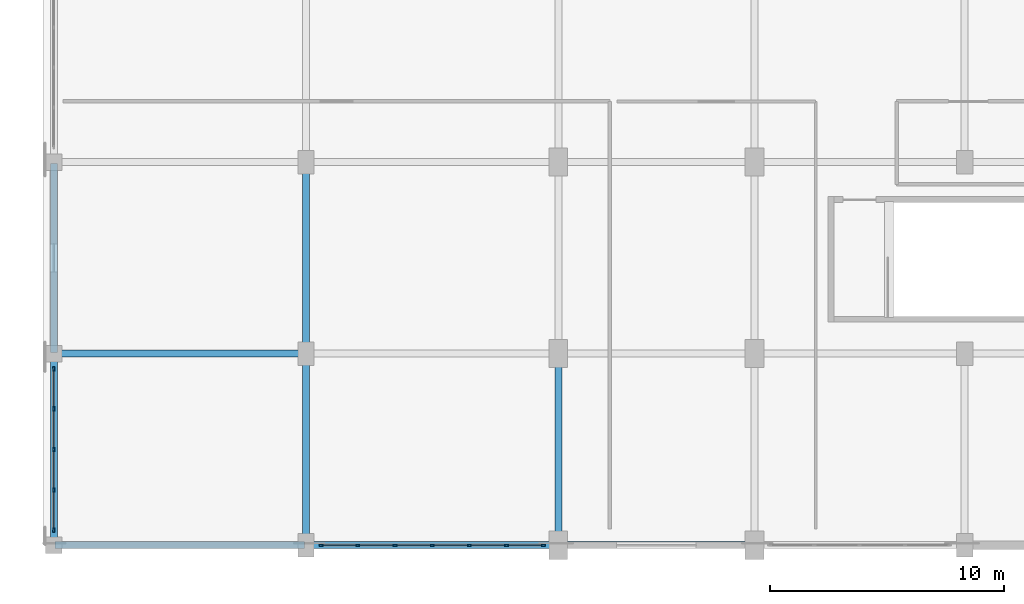
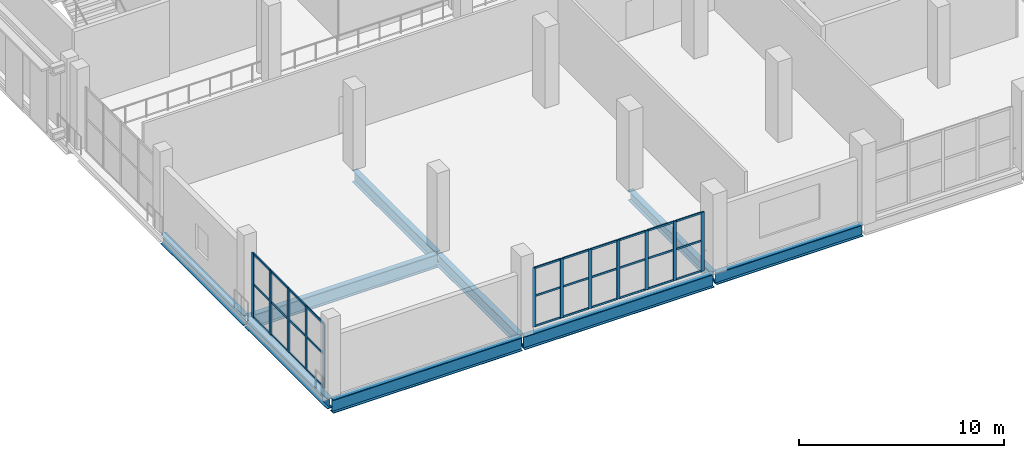
# One storey, part 11 of 104: 42 members, 9 beams, 2 elements without a shape of their own.
"""IFC4 building model written with IfcOpenShell, lengths in metres."""

from ifc_helpers import new_model, si_unit, direction, frame, origin, origin_2d, place, context, subcontext, project, spatial, rectangle, i_section, extrude, material, material_profile, profile_set, type_object, element, aggregate, save


model = new_model("IFC4")

# Units and contexts
model_context = context("Model", 3, precision=1e-05, world=origin(), true_north=direction((0.0, 1.0)))
body_context = subcontext(model_context, "Body", "Model", "MODEL_VIEW")
ifc_project = project(units=[si_unit("LENGTHUNIT", "METRE"), si_unit("AREAUNIT", "SQUARE_METRE"), si_unit("VOLUMEUNIT", "CUBIC_METRE"), si_unit("PLANEANGLEUNIT", "RADIAN"), si_unit("MASSUNIT", "GRAM", prefix="KILO")], contexts=[model_context])

# Site, building, storey
site_placement = place(None, origin())
site = spatial("IfcSite", under=ifc_project, at=site_placement, CompositionType="ELEMENT")
building_placement = place(site_placement, origin())
building = spatial("IfcBuilding", under=site, at=building_placement, Name="Koshinbarg Plaza Stadium", CompositionType="ELEMENT")
storey_placement = place(building_placement, frame((0.0, 0.0, 19.800048828125)))
storey = spatial("IfcBuildingStorey", under=building, at=storey_placement, Name="L04", CompositionType="ELEMENT", Elevation=19.800048828125)

# Beams
ifc_material_1 = material(Name="Steel S355", Category="steel")
ifc_material_profile_1 = material_profile(ifc_material_1, i_section(OverallWidth=0.300048828125, OverallDepth=0.60009765625, WebThickness=0.015380859375, FlangeThickness=0.030029296875, at=origin_2d()), Name="HEB 600")
ifc_profile_set_1 = profile_set([ifc_material_profile_1], Name="Steel S355")
beam_type_1 = type_object("IfcBeamType", Name="BM-SGIR-02", PredefinedType="USERDEFINED", material=ifc_profile_set_1)
beam_1_placement = place(storey_placement, frame((24.60009765625, 0.06005859375, -0.60009765625), z_axis=(0.0, 1.0, 0.0), x_axis=(-1.0, 0.0, 0.0)))
element("IfcBeam", 1, at=beam_1_placement, inside=storey, type_object=beam_type_1, Name="L04 Y girder 5/A-B", ObjectType="GIRDER", PredefinedType="USERDEFINED", context=body_context, shape_type="SweptSolid", body=[
    extrude(i_section(OverallWidth=0.300048828125, OverallDepth=0.60009765625, WebThickness=0.015380859375, FlangeThickness=0.030029296875, at=origin_2d()), origin(), (0.0, 0.0, 1.0), 8.079833984375),
])
beam_2_placement = place(storey_placement, frame((24.60009765625, 8.260009765625, -0.60009765625), z_axis=(0.0, 1.0, 0.0), x_axis=(-1.0, 0.0, 0.0)))
element("IfcBeam", 2, at=beam_2_placement, inside=storey, type_object=beam_type_1, Name="L04 Y girder 5/B-C", ObjectType="GIRDER", PredefinedType="USERDEFINED", context=body_context, shape_type="SweptSolid", body=[
    extrude(i_section(OverallWidth=0.300048828125, OverallDepth=0.60009765625, WebThickness=0.015380859375, FlangeThickness=0.030029296875, at=origin_2d()), origin(), (0.0, 0.0, 1.0), 8.080078125),
])
beam_3_placement = place(storey_placement, frame((46.199951171875, 0.06005859375, -0.60009765625), z_axis=(0.0, 1.0, 0.0), x_axis=(-1.0, 0.0, 0.0)))
element("IfcBeam", 3, at=beam_3_placement, inside=storey, type_object=beam_type_1, Name="L04 Y girder 7/A-B", ObjectType="GIRDER", PredefinedType="USERDEFINED", context=body_context, shape_type="SweptSolid", body=[
    extrude(i_section(OverallWidth=0.300048828125, OverallDepth=0.60009765625, WebThickness=0.015380859375, FlangeThickness=0.030029296875, at=origin_2d()), origin(), (0.0, 0.0, 1.0), 8.079833984375),
])
ifc_material_profile_2 = material_profile(ifc_material_1, i_section(OverallWidth=0.300048828125, OverallDepth=0.699951171875, WebThickness=0.01708984375, FlangeThickness=0.031982421875, at=origin_2d()), Name="HEB 700")
ifc_profile_set_2 = profile_set([ifc_material_profile_2], Name="Steel S355")
beam_type_2 = type_object("IfcBeamType", Name="BM-SGIR-03", PredefinedType="USERDEFINED", material=ifc_profile_set_2)
beam_4_placement = place(storey_placement, frame((46.260009765625, 0.0, -0.650146484375), z_axis=(1.0, 0.0, 0.0), x_axis=(0.0, 1.0, 0.0)))
element("IfcBeam", 4, at=beam_4_placement, inside=storey, type_object=beam_type_2, Name="L04 X girder A/7-8", ObjectType="GIRDER", PredefinedType="USERDEFINED", context=body_context, shape_type="SweptSolid", body=[
    extrude(i_section(OverallWidth=0.300048828125, OverallDepth=0.699951171875, WebThickness=0.01708984375, FlangeThickness=0.031982421875, at=origin_2d()), origin(), (0.0, 0.0, 1.0), 8.280029296875),
])
beam_5_placement = place(storey_placement, frame((35.39990234375, 0.06005859375, -0.650146484375), z_axis=(0.0, 1.0, 0.0), x_axis=(-1.0, 0.0, 0.0)))
element("IfcBeam", 5, at=beam_5_placement, inside=storey, type_object=beam_type_2, Name="L04 Y girder 6/A-B", ObjectType="GIRDER", PredefinedType="USERDEFINED", context=body_context, shape_type="SweptSolid", body=[
    extrude(i_section(OverallWidth=0.300048828125, OverallDepth=0.699951171875, WebThickness=0.01708984375, FlangeThickness=0.031982421875, at=origin_2d()), origin(), (0.0, 0.0, 1.0), 8.079833984375),
])
beam_6_placement = place(storey_placement, frame((35.39990234375, 8.260009765625, -0.650146484375), z_axis=(0.0, 1.0, 0.0), x_axis=(-1.0, 0.0, 0.0)))
element("IfcBeam", 6, at=beam_6_placement, inside=storey, type_object=beam_type_2, Name="L04 Y girder 6/B-C", ObjectType="GIRDER", PredefinedType="USERDEFINED", context=body_context, shape_type="SweptSolid", body=[
    extrude(i_section(OverallWidth=0.300048828125, OverallDepth=0.699951171875, WebThickness=0.01708984375, FlangeThickness=0.031982421875, at=origin_2d()), origin(), (0.0, 0.0, 1.0), 8.080078125),
])
ifc_material_profile_3 = material_profile(ifc_material_1, i_section(OverallWidth=0.300048828125, OverallDepth=0.800048828125, WebThickness=0.017578125, FlangeThickness=0.032958984375, at=origin_2d()), Name="HEB 800")
ifc_profile_set_3 = profile_set([ifc_material_profile_3], Name="Steel S355")
beam_type_3 = type_object("IfcBeamType", Name="BM-SGIR-04", PredefinedType="USERDEFINED", material=ifc_profile_set_3)
beam_7_placement = place(storey_placement, frame((24.659912109375, 0.0, -0.699951171875), z_axis=(1.0, 0.0, 0.0), x_axis=(0.0, 1.0, 0.0)))
element("IfcBeam", 7, at=beam_7_placement, inside=storey, type_object=beam_type_3, Name="L04 X girder A/5-6", ObjectType="GIRDER", PredefinedType="USERDEFINED", context=body_context, shape_type="SweptSolid", body=[
    extrude(i_section(OverallWidth=0.300048828125, OverallDepth=0.800048828125, WebThickness=0.017578125, FlangeThickness=0.032958984375, at=origin_2d()), origin(), (0.0, 0.0, 1.0), 10.68017578125),
])
beam_8_placement = place(storey_placement, frame((35.4599609375, 0.0, -0.699951171875), z_axis=(1.0, 0.0, 0.0), x_axis=(0.0, 1.0, 0.0)))
element("IfcBeam", 8, at=beam_8_placement, inside=storey, type_object=beam_type_3, Name="L04 X girder A/6-7", ObjectType="GIRDER", PredefinedType="USERDEFINED", context=body_context, shape_type="SweptSolid", body=[
    extrude(i_section(OverallWidth=0.300048828125, OverallDepth=0.800048828125, WebThickness=0.017578125, FlangeThickness=0.032958984375, at=origin_2d()), origin(), (0.0, 0.0, 1.0), 10.679931640625),
])
beam_9_placement = place(storey_placement, frame((24.659912109375, 8.199951171875, -0.699951171875), z_axis=(1.0, 0.0, 0.0), x_axis=(0.0, 1.0, 0.0)))
element("IfcBeam", 9, at=beam_9_placement, inside=storey, type_object=beam_type_3, Name="L04 X girder B/5-6", ObjectType="GIRDER", PredefinedType="USERDEFINED", context=body_context, shape_type="SweptSolid", body=[
    extrude(i_section(OverallWidth=0.300048828125, OverallDepth=0.800048828125, WebThickness=0.017578125, FlangeThickness=0.032958984375, at=origin_2d()), origin(), (0.0, 0.0, 1.0), 10.68017578125),
])

# Curtain wall, members
ifc_material_2 = material(Name="Thermally broken anodised aluminium and low-E double glazing", Category="aluminium")
curtain_wall_type_1 = type_object("IfcCurtainWallType", Name="CW-SYS-15", PredefinedType="NOTDEFINED", material=ifc_material_2)
curtain_wall_1_placement = place(storey_placement, origin())
curtain_wall_1 = element("IfcCurtainWall", 10, at=curtain_wall_1_placement, inside=storey, type_object=curtain_wall_type_1, Name="L04 unitised curtain wall CW-L04-110", PredefinedType="NOTDEFINED")
ifc_material_3 = material(Name="Anodised aluminium mullion", Category="aluminium")
ifc_material_profile_4 = material_profile(ifc_material_3, rectangle(XDim=0.070068359375, YDim=0.179931640625, at=origin_2d()), Name="ALU 70x180")
ifc_profile_set_4 = profile_set([ifc_material_profile_4], Name="Anodised aluminium mullion")
member_type_1 = type_object("IfcMemberType", Name="CW-MUL-03", PredefinedType="MULLION", material=ifc_profile_set_4)
member_1_placement = place(storey_placement, frame((45.550048828125, 0.0, 0.0), z_axis=(0.0, 0.0, 1.0), x_axis=(0.0, -1.0, 0.0)))
member_1 = element("IfcMember", 11, at=member_1_placement, type_object=member_type_1, Name="CW15 mullion 1", PredefinedType="MULLION", context=body_context, shape_type="SweptSolid", body=[
    extrude(rectangle(XDim=0.070068359375, YDim=0.179931640625, at=origin_2d()), origin(), (0.0, 0.0, 1.0), 3.52001953125),
])
member_2_placement = place(storey_placement, frame((43.986572265625, 0.0, 0.0), z_axis=(0.0, 0.0, 1.0), x_axis=(0.0, -1.0, 0.0)))
member_2 = element("IfcMember", 12, at=member_2_placement, type_object=member_type_1, Name="CW15 mullion 2", PredefinedType="MULLION", context=body_context, shape_type="SweptSolid", body=[
    extrude(rectangle(XDim=0.070068359375, YDim=0.179931640625, at=origin_2d()), origin(), (0.0, 0.0, 1.0), 3.52001953125),
])
member_3_placement = place(storey_placement, frame((42.393310546875, 0.0, 0.0), z_axis=(0.0, 0.0, 1.0), x_axis=(0.0, -1.0, 0.0)))
member_3 = element("IfcMember", 13, at=member_3_placement, type_object=member_type_1, Name="CW15 mullion 3", PredefinedType="MULLION", context=body_context, shape_type="SweptSolid", body=[
    extrude(rectangle(XDim=0.070068359375, YDim=0.179931640625, at=origin_2d()), origin(), (0.0, 0.0, 1.0), 3.52001953125),
])
member_4_placement = place(storey_placement, frame((40.800048828125, 0.0, 0.0), z_axis=(0.0, 0.0, 1.0), x_axis=(0.0, -1.0, 0.0)))
member_4 = element("IfcMember", 14, at=member_4_placement, type_object=member_type_1, Name="CW15 mullion 4", PredefinedType="MULLION", context=body_context, shape_type="SweptSolid", body=[
    extrude(rectangle(XDim=0.070068359375, YDim=0.179931640625, at=origin_2d()), origin(), (0.0, 0.0, 1.0), 3.52001953125),
])
member_5_placement = place(storey_placement, frame((39.206787109375, 0.0, 0.0), z_axis=(0.0, 0.0, 1.0), x_axis=(0.0, -1.0, 0.0)))
member_5 = element("IfcMember", 15, at=member_5_placement, type_object=member_type_1, Name="CW15 mullion 5", PredefinedType="MULLION", context=body_context, shape_type="SweptSolid", body=[
    extrude(rectangle(XDim=0.070068359375, YDim=0.179931640625, at=origin_2d()), origin(), (0.0, 0.0, 1.0), 3.52001953125),
])
member_6_placement = place(storey_placement, frame((37.61328125, 0.0, 0.0), z_axis=(0.0, 0.0, 1.0), x_axis=(0.0, -1.0, 0.0)))
member_6 = element("IfcMember", 16, at=member_6_placement, type_object=member_type_1, Name="CW15 mullion 6", PredefinedType="MULLION", context=body_context, shape_type="SweptSolid", body=[
    extrude(rectangle(XDim=0.070068359375, YDim=0.179931640625, at=origin_2d()), origin(), (0.0, 0.0, 1.0), 3.52001953125),
])
member_7_placement = place(storey_placement, frame((36.050048828125, 0.0, 0.0), z_axis=(0.0, 0.0, 1.0), x_axis=(0.0, -1.0, 0.0)))
member_7 = element("IfcMember", 17, at=member_7_placement, type_object=member_type_1, Name="CW15 mullion 7", PredefinedType="MULLION", context=body_context, shape_type="SweptSolid", body=[
    extrude(rectangle(XDim=0.070068359375, YDim=0.179931640625, at=origin_2d()), origin(), (0.0, 0.0, 1.0), 3.52001953125),
])

curtain_wall_type_2 = type_object("IfcCurtainWallType", Name="CW-SYS-12", PredefinedType="NOTDEFINED", material=ifc_material_2)
curtain_wall_2_placement = place(storey_placement, origin())
curtain_wall_2 = element("IfcCurtainWall", 18, at=curtain_wall_2_placement, inside=storey, type_object=curtain_wall_type_2, Name="L04 unitised curtain wall CW-L04-091", PredefinedType="NOTDEFINED")
ifc_material_profile_5 = material_profile(ifc_material_3, rectangle(XDim=0.070068359375, YDim=0.199951171875, at=origin_2d()), Name="ALU 70x200")
ifc_profile_set_5 = profile_set([ifc_material_profile_5], Name="Anodised aluminium mullion")
member_type_2 = type_object("IfcMemberType", Name="CW-MUL-04", PredefinedType="MULLION", material=ifc_profile_set_5)
member_8_placement = place(storey_placement, frame((24.60009765625, 0.64990234375, 0.0), z_axis=(0.0, 0.0, 1.0), x_axis=(-1.0, 0.0, 0.0)))
member_8 = element("IfcMember", 19, at=member_8_placement, type_object=member_type_2, Name="CW12 mullion 1", PredefinedType="MULLION", context=body_context, shape_type="SweptSolid", body=[
    extrude(rectangle(XDim=0.070068359375, YDim=0.199951171875, at=origin_2d()), origin(), (0.0, 0.0, 1.0), 3.820068359375),
])
member_9_placement = place(storey_placement, frame((24.60009765625, 2.360107421875, 0.0), z_axis=(0.0, 0.0, 1.0), x_axis=(-1.0, 0.0, 0.0)))
member_9 = element("IfcMember", 20, at=member_9_placement, type_object=member_type_2, Name="CW12 mullion 2", PredefinedType="MULLION", context=body_context, shape_type="SweptSolid", body=[
    extrude(rectangle(XDim=0.070068359375, YDim=0.199951171875, at=origin_2d()), origin(), (0.0, 0.0, 1.0), 3.820068359375),
])
member_10_placement = place(storey_placement, frame((24.60009765625, 4.10009765625, 0.0), z_axis=(0.0, 0.0, 1.0), x_axis=(-1.0, 0.0, 0.0)))
member_10 = element("IfcMember", 21, at=member_10_placement, type_object=member_type_2, Name="CW12 mullion 3", PredefinedType="MULLION", context=body_context, shape_type="SweptSolid", body=[
    extrude(rectangle(XDim=0.070068359375, YDim=0.199951171875, at=origin_2d()), origin(), (0.0, 0.0, 1.0), 3.820068359375),
])
member_11_placement = place(storey_placement, frame((24.60009765625, 5.840087890625, 0.0), z_axis=(0.0, 0.0, 1.0), x_axis=(-1.0, 0.0, 0.0)))
member_11 = element("IfcMember", 22, at=member_11_placement, type_object=member_type_2, Name="CW12 mullion 4", PredefinedType="MULLION", context=body_context, shape_type="SweptSolid", body=[
    extrude(rectangle(XDim=0.070068359375, YDim=0.199951171875, at=origin_2d()), origin(), (0.0, 0.0, 1.0), 3.820068359375),
])
member_12_placement = place(storey_placement, frame((24.60009765625, 7.550048828125, 0.0), z_axis=(0.0, 0.0, 1.0), x_axis=(-1.0, 0.0, 0.0)))
member_12 = element("IfcMember", 23, at=member_12_placement, type_object=member_type_2, Name="CW12 mullion 5", PredefinedType="MULLION", context=body_context, shape_type="SweptSolid", body=[
    extrude(rectangle(XDim=0.070068359375, YDim=0.199951171875, at=origin_2d()), origin(), (0.0, 0.0, 1.0), 3.820068359375),
])

# Member
ifc_material_4 = material(Name="Anodised aluminium transom", Category="aluminium")
ifc_material_profile_6 = material_profile(ifc_material_4, rectangle(XDim=0.06005859375, YDim=0.110107421875, at=origin_2d()), Name="ALU 60x110")
ifc_profile_set_6 = profile_set([ifc_material_profile_6], Name="Anodised aluminium transom")
member_type_3 = type_object("IfcMemberType", Name="CW-TRN-01", PredefinedType="USERDEFINED", material=ifc_profile_set_6)
member_13_placement = place(storey_placement, frame((45.52001953125, 0.0, 0.030029296875), z_axis=(-1.0, 0.0, 0.0), x_axis=(0.0, -1.0, 0.0)))
member_13 = element("IfcMember", 24, at=member_13_placement, type_object=member_type_3, Name="CW15 transom 1.1", ObjectType="TRANSOM", PredefinedType="USERDEFINED", context=body_context, shape_type="SweptSolid", body=[
    extrude(rectangle(XDim=0.06005859375, YDim=0.110107421875, at=origin_2d()), origin(), (0.0, 0.0, 1.0), 1.50341796875),
])

member_14_placement = place(storey_placement, frame((45.52001953125, 0.0, 1.830322265625), z_axis=(-1.0, 0.0, 0.0), x_axis=(0.0, -1.0, 0.0)))
member_14 = element("IfcMember", 25, at=member_14_placement, type_object=member_type_3, Name="CW15 transom 1.2", ObjectType="TRANSOM", PredefinedType="USERDEFINED", context=body_context, shape_type="SweptSolid", body=[
    extrude(rectangle(XDim=0.06005859375, YDim=0.110107421875, at=origin_2d()), origin(), (0.0, 0.0, 1.0), 1.50341796875),
])

member_15_placement = place(storey_placement, frame((45.52001953125, 0.0, 3.489990234375), z_axis=(-1.0, 0.0, 0.0), x_axis=(0.0, -1.0, 0.0)))
member_15 = element("IfcMember", 26, at=member_15_placement, type_object=member_type_3, Name="CW15 transom 1.3", ObjectType="TRANSOM", PredefinedType="USERDEFINED", context=body_context, shape_type="SweptSolid", body=[
    extrude(rectangle(XDim=0.06005859375, YDim=0.110107421875, at=origin_2d()), origin(), (0.0, 0.0, 1.0), 1.50341796875),
])

member_16_placement = place(storey_placement, frame((43.956787109375, 0.0, 0.030029296875), z_axis=(-1.0, 0.0, 0.0), x_axis=(0.0, -1.0, 0.0)))
member_16 = element("IfcMember", 27, at=member_16_placement, type_object=member_type_3, Name="CW15 transom 2.1", ObjectType="TRANSOM", PredefinedType="USERDEFINED", context=body_context, shape_type="SweptSolid", body=[
    extrude(rectangle(XDim=0.06005859375, YDim=0.110107421875, at=origin_2d()), origin(), (0.0, 0.0, 1.0), 1.533447265625),
])

member_17_placement = place(storey_placement, frame((43.956787109375, 0.0, 1.830322265625), z_axis=(-1.0, 0.0, 0.0), x_axis=(0.0, -1.0, 0.0)))
member_17 = element("IfcMember", 28, at=member_17_placement, type_object=member_type_3, Name="CW15 transom 2.2", ObjectType="TRANSOM", PredefinedType="USERDEFINED", context=body_context, shape_type="SweptSolid", body=[
    extrude(rectangle(XDim=0.06005859375, YDim=0.110107421875, at=origin_2d()), origin(), (0.0, 0.0, 1.0), 1.533447265625),
])

member_18_placement = place(storey_placement, frame((43.956787109375, 0.0, 3.489990234375), z_axis=(-1.0, 0.0, 0.0), x_axis=(0.0, -1.0, 0.0)))
member_18 = element("IfcMember", 29, at=member_18_placement, type_object=member_type_3, Name="CW15 transom 2.3", ObjectType="TRANSOM", PredefinedType="USERDEFINED", context=body_context, shape_type="SweptSolid", body=[
    extrude(rectangle(XDim=0.06005859375, YDim=0.110107421875, at=origin_2d()), origin(), (0.0, 0.0, 1.0), 1.533447265625),
])

member_19_placement = place(storey_placement, frame((42.36328125, 0.0, 0.030029296875), z_axis=(-1.0, 0.0, 0.0), x_axis=(0.0, -1.0, 0.0)))
member_19 = element("IfcMember", 30, at=member_19_placement, type_object=member_type_3, Name="CW15 transom 3.1", ObjectType="TRANSOM", PredefinedType="USERDEFINED", context=body_context, shape_type="SweptSolid", body=[
    extrude(rectangle(XDim=0.06005859375, YDim=0.110107421875, at=origin_2d()), origin(), (0.0, 0.0, 1.0), 1.533203125),
])

member_20_placement = place(storey_placement, frame((42.36328125, 0.0, 1.830322265625), z_axis=(-1.0, 0.0, 0.0), x_axis=(0.0, -1.0, 0.0)))
member_20 = element("IfcMember", 31, at=member_20_placement, type_object=member_type_3, Name="CW15 transom 3.2", ObjectType="TRANSOM", PredefinedType="USERDEFINED", context=body_context, shape_type="SweptSolid", body=[
    extrude(rectangle(XDim=0.06005859375, YDim=0.110107421875, at=origin_2d()), origin(), (0.0, 0.0, 1.0), 1.533203125),
])

member_21_placement = place(storey_placement, frame((42.36328125, 0.0, 3.489990234375), z_axis=(-1.0, 0.0, 0.0), x_axis=(0.0, -1.0, 0.0)))
member_21 = element("IfcMember", 32, at=member_21_placement, type_object=member_type_3, Name="CW15 transom 3.3", ObjectType="TRANSOM", PredefinedType="USERDEFINED", context=body_context, shape_type="SweptSolid", body=[
    extrude(rectangle(XDim=0.06005859375, YDim=0.110107421875, at=origin_2d()), origin(), (0.0, 0.0, 1.0), 1.533203125),
])

member_22_placement = place(storey_placement, frame((40.77001953125, 0.0, 0.030029296875), z_axis=(-1.0, 0.0, 0.0), x_axis=(0.0, -1.0, 0.0)))
member_22 = element("IfcMember", 33, at=member_22_placement, type_object=member_type_3, Name="CW15 transom 4.1", ObjectType="TRANSOM", PredefinedType="USERDEFINED", context=body_context, shape_type="SweptSolid", body=[
    extrude(rectangle(XDim=0.06005859375, YDim=0.110107421875, at=origin_2d()), origin(), (0.0, 0.0, 1.0), 1.533447265625),
])

member_23_placement = place(storey_placement, frame((40.77001953125, 0.0, 1.830322265625), z_axis=(-1.0, 0.0, 0.0), x_axis=(0.0, -1.0, 0.0)))
member_23 = element("IfcMember", 34, at=member_23_placement, type_object=member_type_3, Name="CW15 transom 4.2", ObjectType="TRANSOM", PredefinedType="USERDEFINED", context=body_context, shape_type="SweptSolid", body=[
    extrude(rectangle(XDim=0.06005859375, YDim=0.110107421875, at=origin_2d()), origin(), (0.0, 0.0, 1.0), 1.533447265625),
])

member_24_placement = place(storey_placement, frame((40.77001953125, 0.0, 3.489990234375), z_axis=(-1.0, 0.0, 0.0), x_axis=(0.0, -1.0, 0.0)))
member_24 = element("IfcMember", 35, at=member_24_placement, type_object=member_type_3, Name="CW15 transom 4.3", ObjectType="TRANSOM", PredefinedType="USERDEFINED", context=body_context, shape_type="SweptSolid", body=[
    extrude(rectangle(XDim=0.06005859375, YDim=0.110107421875, at=origin_2d()), origin(), (0.0, 0.0, 1.0), 1.533447265625),
])

member_25_placement = place(storey_placement, frame((39.1767578125, 0.0, 0.030029296875), z_axis=(-1.0, 0.0, 0.0), x_axis=(0.0, -1.0, 0.0)))
member_25 = element("IfcMember", 36, at=member_25_placement, type_object=member_type_3, Name="CW15 transom 5.1", ObjectType="TRANSOM", PredefinedType="USERDEFINED", context=body_context, shape_type="SweptSolid", body=[
    extrude(rectangle(XDim=0.06005859375, YDim=0.110107421875, at=origin_2d()), origin(), (0.0, 0.0, 1.0), 1.533447265625),
])

member_26_placement = place(storey_placement, frame((39.1767578125, 0.0, 1.830322265625), z_axis=(-1.0, 0.0, 0.0), x_axis=(0.0, -1.0, 0.0)))
member_26 = element("IfcMember", 37, at=member_26_placement, type_object=member_type_3, Name="CW15 transom 5.2", ObjectType="TRANSOM", PredefinedType="USERDEFINED", context=body_context, shape_type="SweptSolid", body=[
    extrude(rectangle(XDim=0.06005859375, YDim=0.110107421875, at=origin_2d()), origin(), (0.0, 0.0, 1.0), 1.533447265625),
])

member_27_placement = place(storey_placement, frame((39.1767578125, 0.0, 3.489990234375), z_axis=(-1.0, 0.0, 0.0), x_axis=(0.0, -1.0, 0.0)))
member_27 = element("IfcMember", 38, at=member_27_placement, type_object=member_type_3, Name="CW15 transom 5.3", ObjectType="TRANSOM", PredefinedType="USERDEFINED", context=body_context, shape_type="SweptSolid", body=[
    extrude(rectangle(XDim=0.06005859375, YDim=0.110107421875, at=origin_2d()), origin(), (0.0, 0.0, 1.0), 1.533447265625),
])

member_28_placement = place(storey_placement, frame((37.583251953125, 0.0, 0.030029296875), z_axis=(-1.0, 0.0, 0.0), x_axis=(0.0, -1.0, 0.0)))
member_28 = element("IfcMember", 39, at=member_28_placement, type_object=member_type_3, Name="CW15 transom 6.1", ObjectType="TRANSOM", PredefinedType="USERDEFINED", context=body_context, shape_type="SweptSolid", body=[
    extrude(rectangle(XDim=0.06005859375, YDim=0.110107421875, at=origin_2d()), origin(), (0.0, 0.0, 1.0), 1.503173828125),
])

member_29_placement = place(storey_placement, frame((37.583251953125, 0.0, 1.830322265625), z_axis=(-1.0, 0.0, 0.0), x_axis=(0.0, -1.0, 0.0)))
member_29 = element("IfcMember", 40, at=member_29_placement, type_object=member_type_3, Name="CW15 transom 6.2", ObjectType="TRANSOM", PredefinedType="USERDEFINED", context=body_context, shape_type="SweptSolid", body=[
    extrude(rectangle(XDim=0.06005859375, YDim=0.110107421875, at=origin_2d()), origin(), (0.0, 0.0, 1.0), 1.503173828125),
])

member_30_placement = place(storey_placement, frame((37.583251953125, 0.0, 3.489990234375), z_axis=(-1.0, 0.0, 0.0), x_axis=(0.0, -1.0, 0.0)))
member_30 = element("IfcMember", 41, at=member_30_placement, type_object=member_type_3, Name="CW15 transom 6.3", ObjectType="TRANSOM", PredefinedType="USERDEFINED", context=body_context, shape_type="SweptSolid", body=[
    extrude(rectangle(XDim=0.06005859375, YDim=0.110107421875, at=origin_2d()), origin(), (0.0, 0.0, 1.0), 1.503173828125),
])

aggregate(curtain_wall_1, [member_1, member_2, member_3, member_4, member_5, member_6, member_7, member_13, member_14, member_15, member_16, member_17, member_18, member_19, member_20, member_21, member_22, member_23, member_24, member_25, member_26, member_27, member_28, member_29, member_30])

ifc_material_profile_7 = material_profile(ifc_material_4, rectangle(XDim=0.06005859375, YDim=0.1298828125, at=origin_2d()), Name="ALU 60x130")
ifc_profile_set_7 = profile_set([ifc_material_profile_7], Name="Anodised aluminium transom")
member_type_4 = type_object("IfcMemberType", Name="CW-TRN-02", PredefinedType="USERDEFINED", material=ifc_profile_set_7)
member_31_placement = place(storey_placement, frame((24.60009765625, 0.679931640625, 0.030029296875), z_axis=(0.0, 1.0, 0.0), x_axis=(-1.0, 0.0, 0.0)))
member_31 = element("IfcMember", 42, at=member_31_placement, type_object=member_type_4, Name="CW12 transom 1.1", ObjectType="TRANSOM", PredefinedType="USERDEFINED", context=body_context, shape_type="SweptSolid", body=[
    extrude(rectangle(XDim=0.06005859375, YDim=0.1298828125, at=origin_2d()), origin(), (0.0, 0.0, 1.0), 1.650146484375),
])

member_32_placement = place(storey_placement, frame((24.60009765625, 0.679931640625, 1.986328125), z_axis=(0.0, 1.0, 0.0), x_axis=(-1.0, 0.0, 0.0)))
member_32 = element("IfcMember", 43, at=member_32_placement, type_object=member_type_4, Name="CW12 transom 1.2", ObjectType="TRANSOM", PredefinedType="USERDEFINED", context=body_context, shape_type="SweptSolid", body=[
    extrude(rectangle(XDim=0.06005859375, YDim=0.1298828125, at=origin_2d()), origin(), (0.0, 0.0, 1.0), 1.650146484375),
])

member_33_placement = place(storey_placement, frame((24.60009765625, 0.679931640625, 3.7900390625), z_axis=(0.0, 1.0, 0.0), x_axis=(-1.0, 0.0, 0.0)))
member_33 = element("IfcMember", 44, at=member_33_placement, type_object=member_type_4, Name="CW12 transom 1.3", ObjectType="TRANSOM", PredefinedType="USERDEFINED", context=body_context, shape_type="SweptSolid", body=[
    extrude(rectangle(XDim=0.06005859375, YDim=0.1298828125, at=origin_2d()), origin(), (0.0, 0.0, 1.0), 1.650146484375),
])

member_34_placement = place(storey_placement, frame((24.60009765625, 2.389892578125, 0.030029296875), z_axis=(0.0, 1.0, 0.0), x_axis=(-1.0, 0.0, 0.0)))
member_34 = element("IfcMember", 45, at=member_34_placement, type_object=member_type_4, Name="CW12 transom 2.1", ObjectType="TRANSOM", PredefinedType="USERDEFINED", context=body_context, shape_type="SweptSolid", body=[
    extrude(rectangle(XDim=0.06005859375, YDim=0.1298828125, at=origin_2d()), origin(), (0.0, 0.0, 1.0), 1.68017578125),
])

member_35_placement = place(storey_placement, frame((24.60009765625, 2.389892578125, 1.986328125), z_axis=(0.0, 1.0, 0.0), x_axis=(-1.0, 0.0, 0.0)))
member_35 = element("IfcMember", 46, at=member_35_placement, type_object=member_type_4, Name="CW12 transom 2.2", ObjectType="TRANSOM", PredefinedType="USERDEFINED", context=body_context, shape_type="SweptSolid", body=[
    extrude(rectangle(XDim=0.06005859375, YDim=0.1298828125, at=origin_2d()), origin(), (0.0, 0.0, 1.0), 1.68017578125),
])

member_36_placement = place(storey_placement, frame((24.60009765625, 2.389892578125, 3.7900390625), z_axis=(0.0, 1.0, 0.0), x_axis=(-1.0, 0.0, 0.0)))
member_36 = element("IfcMember", 47, at=member_36_placement, type_object=member_type_4, Name="CW12 transom 2.3", ObjectType="TRANSOM", PredefinedType="USERDEFINED", context=body_context, shape_type="SweptSolid", body=[
    extrude(rectangle(XDim=0.06005859375, YDim=0.1298828125, at=origin_2d()), origin(), (0.0, 0.0, 1.0), 1.68017578125),
])

member_37_placement = place(storey_placement, frame((24.60009765625, 4.1298828125, 0.030029296875), z_axis=(0.0, 1.0, 0.0), x_axis=(-1.0, 0.0, 0.0)))
member_37 = element("IfcMember", 48, at=member_37_placement, type_object=member_type_4, Name="CW12 transom 3.1", ObjectType="TRANSOM", PredefinedType="USERDEFINED", context=body_context, shape_type="SweptSolid", body=[
    extrude(rectangle(XDim=0.06005859375, YDim=0.1298828125, at=origin_2d()), origin(), (0.0, 0.0, 1.0), 1.68017578125),
])

member_38_placement = place(storey_placement, frame((24.60009765625, 4.1298828125, 1.986328125), z_axis=(0.0, 1.0, 0.0), x_axis=(-1.0, 0.0, 0.0)))
member_38 = element("IfcMember", 49, at=member_38_placement, type_object=member_type_4, Name="CW12 transom 3.2", ObjectType="TRANSOM", PredefinedType="USERDEFINED", context=body_context, shape_type="SweptSolid", body=[
    extrude(rectangle(XDim=0.06005859375, YDim=0.1298828125, at=origin_2d()), origin(), (0.0, 0.0, 1.0), 1.68017578125),
])

member_39_placement = place(storey_placement, frame((24.60009765625, 4.1298828125, 3.7900390625), z_axis=(0.0, 1.0, 0.0), x_axis=(-1.0, 0.0, 0.0)))
member_39 = element("IfcMember", 50, at=member_39_placement, type_object=member_type_4, Name="CW12 transom 3.3", ObjectType="TRANSOM", PredefinedType="USERDEFINED", context=body_context, shape_type="SweptSolid", body=[
    extrude(rectangle(XDim=0.06005859375, YDim=0.1298828125, at=origin_2d()), origin(), (0.0, 0.0, 1.0), 1.68017578125),
])

member_40_placement = place(storey_placement, frame((24.60009765625, 5.8701171875, 0.030029296875), z_axis=(0.0, 1.0, 0.0), x_axis=(-1.0, 0.0, 0.0)))
member_40 = element("IfcMember", 51, at=member_40_placement, type_object=member_type_4, Name="CW12 transom 4.1", ObjectType="TRANSOM", PredefinedType="USERDEFINED", context=body_context, shape_type="SweptSolid", body=[
    extrude(rectangle(XDim=0.06005859375, YDim=0.1298828125, at=origin_2d()), origin(), (0.0, 0.0, 1.0), 1.64990234375),
])

member_41_placement = place(storey_placement, frame((24.60009765625, 5.8701171875, 1.986328125), z_axis=(0.0, 1.0, 0.0), x_axis=(-1.0, 0.0, 0.0)))
member_41 = element("IfcMember", 52, at=member_41_placement, type_object=member_type_4, Name="CW12 transom 4.2", ObjectType="TRANSOM", PredefinedType="USERDEFINED", context=body_context, shape_type="SweptSolid", body=[
    extrude(rectangle(XDim=0.06005859375, YDim=0.1298828125, at=origin_2d()), origin(), (0.0, 0.0, 1.0), 1.64990234375),
])

member_42_placement = place(storey_placement, frame((24.60009765625, 5.8701171875, 3.7900390625), z_axis=(0.0, 1.0, 0.0), x_axis=(-1.0, 0.0, 0.0)))
member_42 = element("IfcMember", 53, at=member_42_placement, type_object=member_type_4, Name="CW12 transom 4.3", ObjectType="TRANSOM", PredefinedType="USERDEFINED", context=body_context, shape_type="SweptSolid", body=[
    extrude(rectangle(XDim=0.06005859375, YDim=0.1298828125, at=origin_2d()), origin(), (0.0, 0.0, 1.0), 1.64990234375),
])

aggregate(curtain_wall_2, [member_8, member_9, member_10, member_11, member_12, member_31, member_32, member_33, member_34, member_35, member_36, member_37, member_38, member_39, member_40, member_41, member_42])

save(model, "model.ifc")
